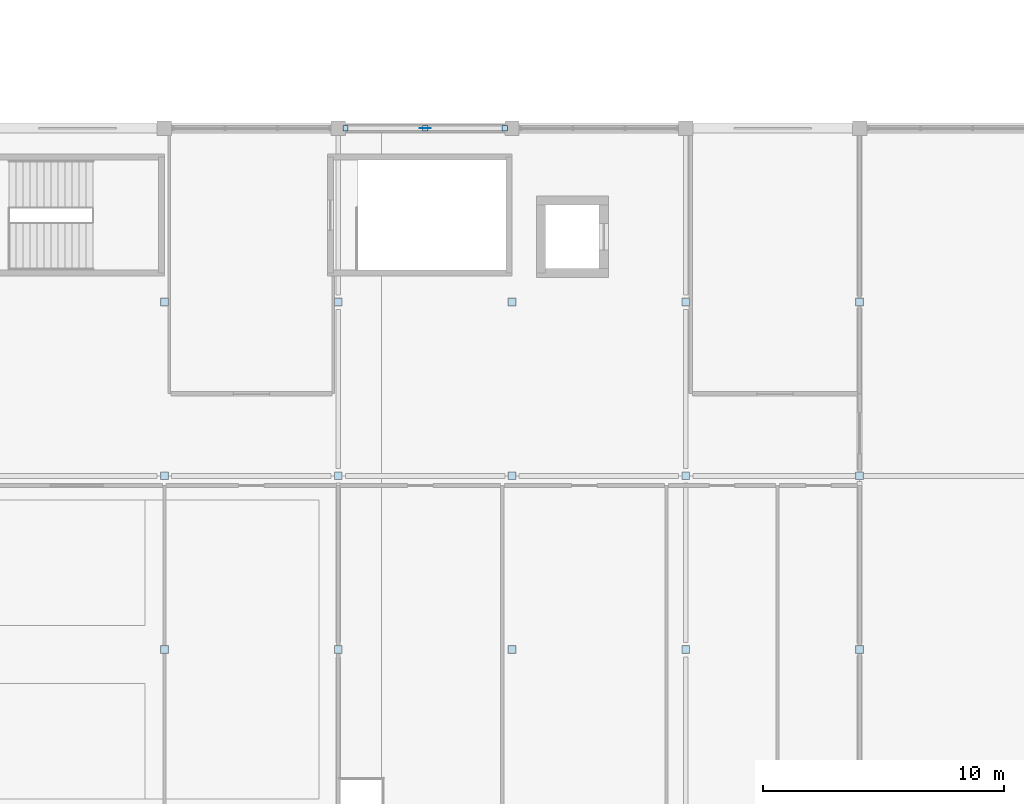
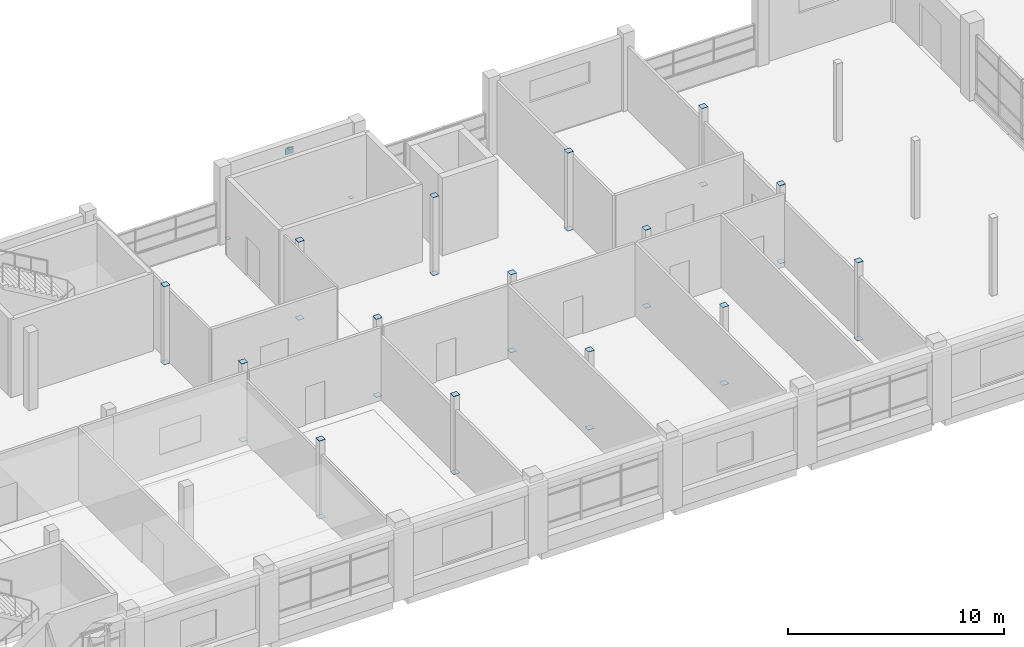
# One storey, part 38 of 71: 34 plates.
"""IFC4 building model written with IfcOpenShell, lengths in metres."""

from ifc_helpers import new_model, si_unit, direction, frame, origin, origin_2d, place, context, subcontext, project, spatial, rectangle, extrude, material, layer, layer_set, type_object, element, save


model = new_model("IFC4")

# Units and contexts
model_context = context("Model", 3, precision=1e-05, world=origin(), true_north=direction((0.0, 1.0)))
body_context = subcontext(model_context, "Body", "Model", "MODEL_VIEW")
ifc_project = project(units=[si_unit("LENGTHUNIT", "METRE"), si_unit("AREAUNIT", "SQUARE_METRE"), si_unit("VOLUMEUNIT", "CUBIC_METRE"), si_unit("PLANEANGLEUNIT", "RADIAN"), si_unit("MASSUNIT", "GRAM", prefix="KILO")], contexts=[model_context])

# Site, building, storey
site_placement = place(None, origin())
site = spatial("IfcSite", under=ifc_project, at=site_placement, CompositionType="ELEMENT")
building_placement = place(site_placement, origin())
building = spatial("IfcBuilding", under=site, at=building_placement, Name="Sardonyx Promenade Sports Hall", CompositionType="ELEMENT")
storey_placement = place(building_placement, frame((0.0, 0.0, 16.0)))
storey = spatial("IfcBuildingStorey", under=building, at=storey_placement, Name="L03", CompositionType="ELEMENT", Elevation=16.0)

# Plates
ifc_material_1 = material(Name="Steel S355JR", Category="steel")
ifc_layer_1 = layer(ifc_material_1, 0.01611328125)
ifc_layer_set_1 = layer_set([ifc_layer_1], Name="Plt_EndCap_EC2")
plate_type_1 = type_object("IfcPlateType", Name="Plt_EndCap_EC2", PredefinedType="USERDEFINED", material=ifc_layer_set_1)
for number, where, z_axis, x_axis, name in (
    (1, (64.800048828125, 7.199951171875, -0.01611328125), (0.0, 0.0, 1.0), (1.0, 0.0, 0.0), "Column end-cap plate EC2 L03 #19"),
    (2, (64.800048828125, 7.199951171875, 4.39990234375), (0.0, 0.0, 1.0), (1.0, 0.0, 0.0), "Column end-cap plate EC2 L03 #20"),
    (3, (64.800048828125, 14.39990234375, -0.01611328125), (0.0, 0.0, 1.0), (1.0, 0.0, 0.0), "Column end-cap plate EC2 L03 #23"),
    (4, (64.800048828125, 14.39990234375, 4.39990234375), (0.0, 0.0, 1.0), (1.0, 0.0, 0.0), "Column end-cap plate EC2 L03 #24"),
    (5, (64.800048828125, 21.60009765625, -0.01611328125), (0.0, 0.0, 1.0), (1.0, 0.0, 0.0), "Column end-cap plate EC2 L03 #27"),
    (6, (64.800048828125, 21.60009765625, 4.39990234375), (0.0, 0.0, 1.0), (1.0, 0.0, 0.0), "Column end-cap plate EC2 L03 #28"),
    (7, (72.0, 7.199951171875, -0.01611328125), (0.0, 0.0, 1.0), (1.0, 0.0, 0.0), "Column end-cap plate EC2 L03 #31"),
    (8, (72.0, 7.199951171875, 4.39990234375), (0.0, 0.0, 1.0), (1.0, 0.0, 0.0), "Column end-cap plate EC2 L03 #32"),
    (9, (72.0, 14.39990234375, -0.01611328125), (0.0, 0.0, 1.0), (1.0, 0.0, 0.0), "Column end-cap plate EC2 L03 #33"),
    (10, (72.0, 14.39990234375, 4.39990234375), (0.0, 0.0, 1.0), (1.0, 0.0, 0.0), "Column end-cap plate EC2 L03 #34"),
    (11, (72.0, 21.60009765625, -0.01611328125), (0.0, 0.0, 1.0), (1.0, 0.0, 0.0), "Column end-cap plate EC2 L03 #35"),
    (12, (72.0, 21.60009765625, 4.39990234375), (0.0, 0.0, 1.0), (1.0, 0.0, 0.0), "Column end-cap plate EC2 L03 #36"),
    (13, (79.199951171875, 7.199951171875, -0.01611328125), (0.0, 0.0, 1.0), (1.0, 0.0, 0.0), "Column end-cap plate EC2 L03 #37"),
    (14, (79.199951171875, 7.199951171875, 4.39990234375), (0.0, 0.0, 1.0), (1.0, 0.0, 0.0), "Column end-cap plate EC2 L03 #38"),
    (15, (79.199951171875, 14.39990234375, -0.01611328125), (0.0, 0.0, 1.0), (1.0, 0.0, 0.0), "Column end-cap plate EC2 L03 #39"),
    (16, (79.199951171875, 14.39990234375, 4.39990234375), (0.0, 0.0, 1.0), (1.0, 0.0, 0.0), "Column end-cap plate EC2 L03 #40"),
    (17, (79.199951171875, 21.60009765625, -0.01611328125), (0.0, 0.0, 1.0), (1.0, 0.0, 0.0), "Column end-cap plate EC2 L03 #41"),
    (18, (79.199951171875, 21.60009765625, 4.39990234375), (0.0, 0.0, 1.0), (1.0, 0.0, 0.0), "Column end-cap plate EC2 L03 #42"),
    (19, (86.39990234375, 7.199951171875, -0.01611328125), (0.0, 0.0, 1.0), (1.0, 0.0, 0.0), "Column end-cap plate EC2 L03 #43"),
    (20, (86.39990234375, 7.199951171875, 4.39990234375), (0.0, 0.0, 1.0), (1.0, 0.0, 0.0), "Column end-cap plate EC2 L03 #44"),
    (21, (86.39990234375, 14.39990234375, -0.01611328125), (0.0, 0.0, 1.0), (1.0, 0.0, 0.0), "Column end-cap plate EC2 L03 #45"),
    (22, (86.39990234375, 14.39990234375, 4.39990234375), (0.0, 0.0, 1.0), (1.0, 0.0, 0.0), "Column end-cap plate EC2 L03 #46"),
    (23, (86.39990234375, 21.60009765625, -0.01611328125), (0.0, 0.0, 1.0), (1.0, 0.0, 0.0), "Column end-cap plate EC2 L03 #47"),
    (24, (86.39990234375, 21.60009765625, 4.39990234375), (0.0, 0.0, 1.0), (1.0, 0.0, 0.0), "Column end-cap plate EC2 L03 #48"),
    (25, (93.60009765625, 7.199951171875, -0.01611328125), (0.0, 0.0, 1.0), (1.0, 0.0, 0.0), "Column end-cap plate EC2 L03 #49"),
    (26, (93.60009765625, 7.199951171875, 4.39990234375), (0.0, 0.0, 1.0), (1.0, 0.0, 0.0), "Column end-cap plate EC2 L03 #50"),
    (27, (93.60009765625, 14.39990234375, -0.01611328125), (0.0, 0.0, 1.0), (1.0, 0.0, 0.0), "Column end-cap plate EC2 L03 #51"),
    (28, (93.60009765625, 14.39990234375, 4.39990234375), (0.0, 0.0, 1.0), (1.0, 0.0, 0.0), "Column end-cap plate EC2 L03 #52"),
    (29, (93.60009765625, 21.60009765625, -0.01611328125), (0.0, 0.0, 1.0), (1.0, 0.0, 0.0), "Column end-cap plate EC2 L03 #53"),
    (30, (93.60009765625, 21.60009765625, 4.39990234375), (0.0, 0.0, 1.0), (1.0, 0.0, 0.0), "Column end-cap plate EC2 L03 #54"),
):
    element("IfcPlate", number, at=place(storey_placement, frame(where, z_axis=z_axis, x_axis=x_axis)), inside=storey, type_object=plate_type_1, Name=name, ObjectType="END CAP PLATE", PredefinedType="USERDEFINED", context=body_context, shape_type="SweptSolid", body=[
        extrude(rectangle(XDim=0.320068359375, YDim=0.320068359375, at=origin_2d()), origin(), (0.0, 0.0, 1.0), 0.01611328125),
    ])
ifc_material_2 = material(Name="Steel S355JR", Category="steel")
ifc_layer_2 = layer(ifc_material_2, 0.011962890625)
ifc_layer_set_2 = layer_set([ifc_layer_2], Name="Plt_EndCap_EC3")
plate_type_2 = type_object("IfcPlateType", Name="Plt_EndCap_EC3", PredefinedType="USERDEFINED", material=ifc_layer_set_2)
for number, where, z_axis, x_axis, name in (
    (31, (72.300048828125, 28.800048828125, 0.01416015625), (0.0, 0.0, 1.0), (1.0, 0.0, 0.0), "Brace foot end-cap plate EC3 BF6 L03 L1"),
    (32, (78.89990234375, 28.800048828125, 0.01416015625), (0.0, 0.0, 1.0), (1.0, 0.0, 0.0), "Brace foot end-cap plate EC3 BF6 L03 L2"),
    (33, (75.60009765625, 28.800048828125, 3.958984375), (0.0, 0.0, 1.0), (1.0, 0.0, 0.0), "Brace apex cap plate EC3 BF6 L03"),
):
    element("IfcPlate", number, at=place(storey_placement, frame(where, z_axis=z_axis, x_axis=x_axis)), inside=storey, type_object=plate_type_2, Name=name, ObjectType="END CAP PLATE", PredefinedType="USERDEFINED", context=body_context, shape_type="SweptSolid", body=[
        extrude(rectangle(XDim=0.219970703125, YDim=0.219970703125, at=origin_2d()), origin(), (0.0, 0.0, 1.0), 0.011962890625),
    ])
ifc_material_3 = material(Name="Steel S355JR", Category="steel")
ifc_layer_3 = layer(ifc_material_3, 0.01611328125)
ifc_layer_set_3 = layer_set([ifc_layer_3], Name="Plt_Gusset_KN3")
plate_type_3 = type_object("IfcPlateType", Name="Plt_Gusset_KN3", PredefinedType="USERDEFINED", material=ifc_layer_set_3)
plate_placement = place(storey_placement, frame((75.60009765625, 28.800048828125, 3.655029296875), z_axis=(0.0, 0.0, 1.0), x_axis=(1.0, 0.0, 0.0)))
element("IfcPlate", 34, at=plate_placement, inside=storey, type_object=plate_type_3, Name="Braced-frame apex gusset KN3 BF6 L03", ObjectType="GUSSET PLATE", PredefinedType="USERDEFINED", context=body_context, shape_type="SweptSolid", body=[
    extrude(rectangle(XDim=0.449951171875, YDim=0.01611328125, at=origin_2d()), origin(), (0.0, 0.0, 1.0), 0.35009765625),
])

save(model, "model.ifc")
